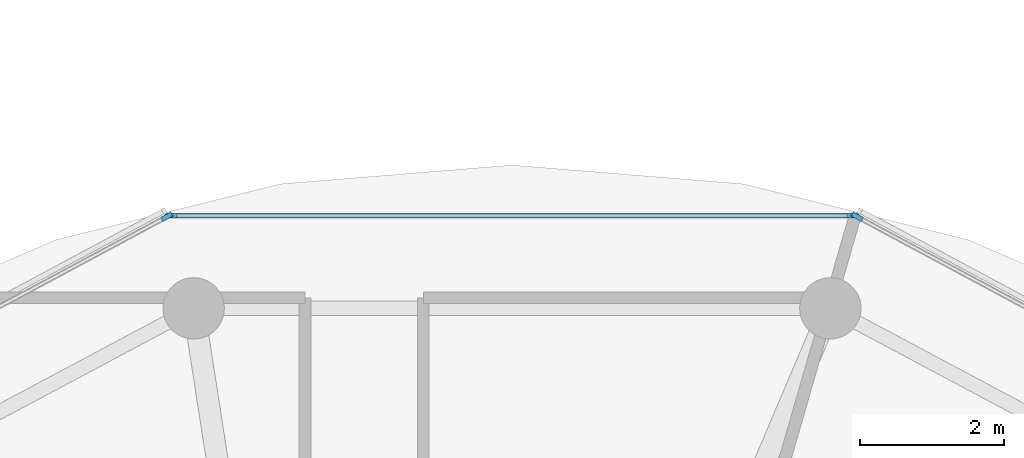
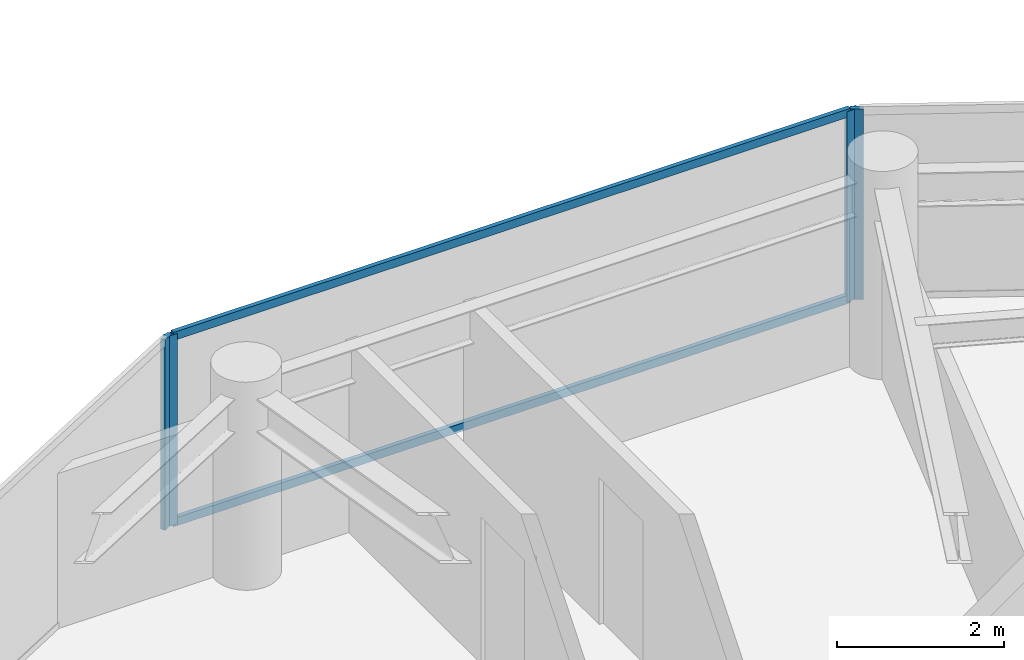
# One storey, part 9 of 24: 6 members, 3 elements without a shape of their own.
"""IFC4 building model written with IfcOpenShell, lengths in metres."""

import ifcopenshell
import ifcopenshell.guid

model = None  # the IFC model being written
_history = None  # IfcOwnerHistory: only IFC2X3 demands one
_inside = {}  # id of a spatial element -> (the spatial element, [elements in it])
_under = {}  # id of a project, library or spatial element -> (it, [spatial elements below it])
_declared = {}  # id of a project -> (the project, [libraries it declares])
_typed = {}  # id of a type object -> (the type object, [elements of that type])
_made_of = {}  # id of a material, layer set ... -> (it, [elements and type objects made of it])


def new_model(schema):
    """Start an empty IFC model of exactly this schema.

    Asked for "IFC4X3", IfcOpenShell would pick the latest addendum, in which some entities
    have other attributes; the version numbers below select the first issue.
    IFC2X3 requires an IfcOwnerHistory on every rooted entity: one is made here for all.
    """
    global model, _history
    if schema == "IFC4X3":
        model = ifcopenshell.file(schema_version=(4, 3, 0, 0))
    else:
        model = ifcopenshell.file(schema=schema)
    _inside.clear()
    _under.clear()
    _declared.clear()
    _typed.clear()
    _made_of.clear()
    _history = None
    if model.schema == "IFC2X3":
        org = make("IfcOrganization", Name="unknown")
        user = make(
            "IfcPersonAndOrganization",
            ThePerson=make("IfcPerson", FamilyName="unknown"),
            TheOrganization=org,
        )
        app = make(
            "IfcApplication",
            ApplicationDeveloper=org,
            Version="unknown",
            ApplicationFullName="unknown",
            ApplicationIdentifier="unknown",
        )
        _history = make(
            "IfcOwnerHistory",
            OwningUser=user,
            OwningApplication=app,
            ChangeAction="ADDED",
            CreationDate=0,
        )
    return model


def make(cls, **values):
    """One entity of the class cls with the attributes given. An attribute that is None is left unset."""
    return model.create_entity(
        cls, **{name: value for name, value in values.items() if value is not None}
    )


def rooted(cls, **values):
    """An entity with a GlobalId (a new one), such as an element, a storey or a relation."""
    return make(cls, GlobalId=ifcopenshell.guid.new(), OwnerHistory=_history, **values)


def si_unit(unit_type, name, prefix=None):
    """IfcSIUnit, for example si_unit("LENGTHUNIT", "METRE", prefix="MILLI")."""
    return make("IfcSIUnit", UnitType=unit_type, Prefix=prefix, Name=name)


def assignment(units):
    """IfcUnitAssignment: the units of a project."""
    return None if units is None else make("IfcUnitAssignment", Units=units)


def point(xyz):
    """IfcCartesianPoint."""
    return None if xyz is None else make("IfcCartesianPoint", Coordinates=xyz)


def direction(xyz):
    """IfcDirection."""
    return None if xyz is None else make("IfcDirection", DirectionRatios=xyz)


def frame(location, z_axis=None, x_axis=None):
    """IfcAxis2Placement3D, a coordinate frame: its origin and axes. An axis left out is left unset."""
    return make(
        "IfcAxis2Placement3D",
        Location=point(location),
        Axis=direction(z_axis),
        RefDirection=direction(x_axis),
    )


def frame_2d(location, x_axis=None):
    """IfcAxis2Placement2D, a coordinate frame in the plane: its origin and x axis."""
    return make(
        "IfcAxis2Placement2D", Location=point(location), RefDirection=direction(x_axis)
    )


def origin():
    """The frame at (0, 0, 0) with its axes left unset."""
    return frame((0.0, 0.0, 0.0))


def origin_2d():
    """The frame at (0, 0) in the plane with its x axis left unset."""
    return frame_2d((0.0, 0.0))


def place(relative_to, where):
    """IfcLocalPlacement: puts the frame where relative to a parent placement (None: the world)."""
    return make(
        "IfcLocalPlacement", PlacementRelTo=relative_to, RelativePlacement=where
    )


def context(
    kind, dimensions, precision=None, world=None, true_north=None, identifier=None
):
    """IfcGeometricRepresentationContext, for example the 3D "Model" context."""
    return make(
        "IfcGeometricRepresentationContext",
        ContextIdentifier=identifier,
        ContextType=kind,
        CoordinateSpaceDimension=dimensions,
        Precision=precision,
        WorldCoordinateSystem=world,
        TrueNorth=true_north,
    )


def subcontext(parent, identifier, kind, view, scale=None):
    """IfcGeometricRepresentationSubContext, for example "Body" below "Model"."""
    return make(
        "IfcGeometricRepresentationSubContext",
        ContextIdentifier=identifier,
        ContextType=kind,
        ParentContext=parent,
        TargetScale=scale,
        TargetView=view,
    )


def project(units=None, contexts=None):
    """IfcProject with its units and contexts."""
    return rooted(
        "IfcProject",
        Name="project",
        RepresentationContexts=contexts,
        UnitsInContext=assignment(units),
    )


def spatial(cls, under=None, at=None, **own):
    """A site, building, storey or space (cls), placed at a placement, below another one or the project."""
    s = rooted(cls, ObjectPlacement=at, **own)
    if under is not None:
        _under.setdefault(under.id(), (under, []))[1].append(s)
    return s


def profile(cls, at=None, kind="AREA", **sizes):
    """A parametric profile (cls). Its sizes go by their IFC names, for example OverallWidth=200.0."""
    return make(cls, ProfileType=kind, Position=at, **sizes)


def rectangle(**sizes):
    """IfcRectangleProfileDef."""
    return profile("IfcRectangleProfileDef", **sizes)


def extrude(swept, where, along, depth):
    """IfcExtrudedAreaSolid: the profile swept, set in the frame where, extruded along a direction by depth."""
    return make(
        "IfcExtrudedAreaSolid",
        SweptArea=swept,
        Position=where,
        ExtrudedDirection=direction(along),
        Depth=depth,
    )


def shape(context_of_items, identifier, shape_type, items):
    """IfcShapeRepresentation: the items that make up one representation, for example the "Body"."""
    return make(
        "IfcShapeRepresentation",
        ContextOfItems=context_of_items,
        RepresentationIdentifier=identifier,
        RepresentationType=shape_type,
        Items=items,
    )


def source(mapping_origin, context_of_items, identifier, shape_type, items):
    """IfcRepresentationMap: a shape defined once, which mapped items show again and again."""
    return make(
        "IfcRepresentationMap",
        MappingOrigin=mapping_origin,
        MappedRepresentation=shape(context_of_items, identifier, shape_type, items),
    )


def transform(
    local_origin,
    x_axis=None,
    y_axis=None,
    z_axis=None,
    scale=None,
    scale2=None,
    scale3=None,
    uniform=True,
):
    """IfcCartesianTransformationOperator3D, or its non-uniform kind. x_axis, y_axis, z_axis: its Axis1, 2, 3."""
    if uniform:
        return make(
            "IfcCartesianTransformationOperator3D",
            Axis1=direction(x_axis),
            Axis2=direction(y_axis),
            LocalOrigin=point(local_origin),
            Scale=scale,
            Axis3=direction(z_axis),
        )
    return make(
        "IfcCartesianTransformationOperator3DnonUniform",
        Axis1=direction(x_axis),
        Axis2=direction(y_axis),
        LocalOrigin=point(local_origin),
        Scale=scale,
        Axis3=direction(z_axis),
        Scale2=scale2,
        Scale3=scale3,
    )


def mapped(mapping_source, mapping_target):
    """IfcMappedItem: shows the shape of a source again, moved by a transform."""
    return make(
        "IfcMappedItem", MappingSource=mapping_source, MappingTarget=mapping_target
    )


def material(Name=None, Category=None):
    """IfcMaterial."""
    return make("IfcMaterial", Name=Name, Category=Category)


def layer(
    of_material, thickness, ventilated=None, Name=None, Category=None, Priority=None
):
    """IfcMaterialLayer: one layer of a wall or slab, of a material (None: an air gap)."""
    return make(
        "IfcMaterialLayer",
        Material=of_material,
        LayerThickness=thickness,
        IsVentilated=ventilated,
        Name=Name,
        Category=Category,
        Priority=Priority,
    )


def layer_set(layers, Name=None):
    """IfcMaterialLayerSet."""
    return make("IfcMaterialLayerSet", MaterialLayers=layers, LayerSetName=Name)


def material_profile(
    of_material, cross_section, Name=None, Category=None, Priority=None
):
    """IfcMaterialProfile: a cross section and its material."""
    return make(
        "IfcMaterialProfile",
        Name=Name,
        Material=of_material,
        Profile=cross_section,
        Priority=Priority,
        Category=Category,
    )


def profile_set(profiles, Name=None, composite=None):
    """IfcMaterialProfileSet."""
    return make(
        "IfcMaterialProfileSet",
        Name=Name,
        MaterialProfiles=profiles,
        CompositeProfile=composite,
    )


def made_of(thing, what):
    """Note that an element or type object is made of a material, layer set ...; save() writes the relation."""
    if what is not None:
        _made_of.setdefault(what.id(), (what, []))[1].append(thing)
    return thing


def type_object(cls, material=None, **own):
    """A type object (cls), such as IfcWallType, which elements share."""
    return made_of(rooted(cls, **own), material)


def type_shapes(of_type, sources):
    """Give a type object the sources (RepresentationMaps) that its elements show as mapped items."""
    of_type.RepresentationMaps = sources


def element(
    cls,
    number,
    at=None,
    inside=None,
    cuts=None,
    type_object=None,
    material=None,
    context=None,
    identifier="Body",
    shape_type=None,
    held_by="IfcProductDefinitionShape",
    body=None,
    shapes=None,
    **own,
):
    """One element of the class cls, such as IfcWall. Its Tag is "e" and its number.

    at: its placement. inside: the storey or other place that contains it. cuts: it is an
    opening in that element (IfcRelVoidsElement). A single representation is given by context,
    identifier, shape_type and body (its items); several are given by shapes. held_by: the class
    of the entity that holds the representations. save() writes the other relations.
    """
    e = rooted(cls, Tag="e%d" % number, ObjectPlacement=at, **own)
    if body is not None:
        shapes = [shape(context, identifier, shape_type, body)]
    if shapes is not None:
        e.Representation = make(held_by, Representations=shapes)
    if inside is not None:
        _inside.setdefault(inside.id(), (inside, []))[1].append(e)
    if cuts is not None:
        rooted(
            "IfcRelVoidsElement", RelatingBuildingElement=cuts, RelatedOpeningElement=e
        )
    if type_object is not None:
        _typed.setdefault(type_object.id(), (type_object, []))[1].append(e)
    return made_of(e, material)


def aggregate(whole, parts):
    """IfcRelAggregates: a whole, such as a stair, and the parts it consists of."""
    return rooted("IfcRelAggregates", RelatingObject=whole, RelatedObjects=parts)


def save(model, path):
    """Write the relations noted so far, then the file.

    IfcRelAggregates (storeys below a building ...), IfcRelContainedInSpatialStructure (elements
    in a storey), IfcRelDefinesByType, IfcRelAssociatesMaterial and IfcRelDeclares: one each for
    every whole, place, type object, material and project.
    """
    for whole, parts in _under.values():
        aggregate(whole, parts)
    for where, things in _inside.values():
        rooted(
            "IfcRelContainedInSpatialStructure",
            RelatedElements=things,
            RelatingStructure=where,
        )
    for kind, things in _typed.values():
        rooted("IfcRelDefinesByType", RelatedObjects=things, RelatingType=kind)
    for what, things in _made_of.values():
        rooted("IfcRelAssociatesMaterial", RelatedObjects=things, RelatingMaterial=what)
    for by, libraries in _declared.values():
        rooted("IfcRelDeclares", RelatingContext=by, RelatedDefinitions=libraries)
    model.write(path)


model = new_model("IFC4")

# Units and contexts
model_context = context("Model", 3, precision=1e-05, world=origin(), true_north=direction((0.0, 1.0)))
body_context = subcontext(model_context, "Body", "Model", "MODEL_VIEW")
ifc_project = project(units=[si_unit("LENGTHUNIT", "METRE"), si_unit("AREAUNIT", "SQUARE_METRE"), si_unit("VOLUMEUNIT", "CUBIC_METRE"), si_unit("PLANEANGLEUNIT", "RADIAN"), si_unit("MASSUNIT", "GRAM", prefix="KILO")], contexts=[model_context])

# Site, building, storey
site_placement = place(None, origin())
site = spatial("IfcSite", under=ifc_project, at=site_placement, CompositionType="ELEMENT")
building_placement = place(site_placement, origin())
building = spatial("IfcBuilding", under=site, at=building_placement, Name="Norrkilde Senior Care Towers", CompositionType="ELEMENT")
storey_placement = place(building_placement, frame((0.0, 0.0, 102.35009765625)))
storey = spatial("IfcBuildingStorey", under=building, at=storey_placement, Name="L31", CompositionType="ELEMENT", Elevation=102.35009765625)

# Curtain wall, member
ifc_material_1 = material(Name="Triple Low-E Insulated Glazing", Category="glass")
ifc_layer = layer(ifc_material_1, 0.195068359375)
ifc_layer_set = layer_set([ifc_layer], Name="Triple Low-E Insulated Glazing")
curtain_wall_type = type_object("IfcCurtainWallType", Name="CW3 Zone 2 Assisted Living Curtain Wall", PredefinedType="NOTDEFINED", material=ifc_layer_set)
curtain_wall_1_placement = place(storey_placement, origin())
curtain_wall_1 = element("IfcCurtainWall", 1, at=curtain_wall_1_placement, inside=storey, type_object=curtain_wall_type, Name="L31 Drum W Curtain Wall 01", PredefinedType="NOTDEFINED")
ifc_material_2 = material(Name="Anodised Aluminium", Category="aluminium")
ifc_material_profile_1 = material_profile(ifc_material_2, rectangle(XDim=0.06494140625, YDim=0.159912109375, at=origin_2d()), Name="ALU MULL 65x160")
ifc_profile_set_1 = profile_set([ifc_material_profile_1], Name="Anodised Aluminium")
member_type_1 = type_object("IfcMemberType", Name="Curtain Wall Mullion Z1-Z2 65x160", PredefinedType="MULLION", material=ifc_profile_set_1)
shared_shape_1 = source(origin(), body_context, "Body", "SweptSolid", [
    extrude(rectangle(XDim=0.06494140625, YDim=0.159912109375, at=origin_2d()), origin(), (0.0, 0.0, 1.0), 2.789794921875),
])
type_shapes(member_type_1, [shared_shape_1])
member_1_placement = place(storey_placement, frame((-21.164306640625, 16.482666015625, 0.0), z_axis=(0.0, 0.0, 1.0), x_axis=(0.472769402511, 0.881186184668, 0.0)))
member_1 = element("IfcMember", 2, at=member_1_placement, type_object=member_type_1, Name="CW-3 mullion 1", PredefinedType="MULLION", context=body_context, shape_type="MappedRepresentation", body=[
    mapped(shared_shape_1, transform((0.0, 0.0, 0.0), x_axis=(1.0, 0.0, 0.0), y_axis=(0.0, 1.0, 0.0), z_axis=(0.0, 0.0, 1.0), scale=1.0)),
])
aggregate(curtain_wall_1, [member_1])

# Curtain wall, members
curtain_wall_2_placement = place(storey_placement, origin())
curtain_wall_2 = element("IfcCurtainWall", 3, at=curtain_wall_2_placement, inside=storey, type_object=curtain_wall_type, Name="L31 Drum W Curtain Wall 02", PredefinedType="NOTDEFINED")
member_2_placement = place(storey_placement, frame((-30.674560546875, 16.498046875, 0.0), z_axis=(0.0, 0.0, 1.0), x_axis=(0.0, 1.0, 0.0)))
member_2 = element("IfcMember", 4, at=member_2_placement, type_object=member_type_1, Name="CW-3 mullion 1", PredefinedType="MULLION", context=body_context, shape_type="MappedRepresentation", body=[
    mapped(shared_shape_1, transform((0.0, 0.0, 0.0), x_axis=(1.0, 0.0, 0.0), y_axis=(0.0, 1.0, 0.0), z_axis=(0.0, 0.0, 1.0), scale=1.0)),
])
member_3_placement = place(storey_placement, frame((-21.225341796875, 16.498046875, 0.0), z_axis=(0.0, 0.0, 1.0), x_axis=(0.0, 1.0, 0.0)))
member_3 = element("IfcMember", 5, at=member_3_placement, type_object=member_type_1, Name="CW-3 mullion 2", PredefinedType="MULLION", context=body_context, shape_type="MappedRepresentation", body=[
    mapped(shared_shape_1, transform((0.0, 0.0, 0.0), x_axis=(1.0, 0.0, 0.0), y_axis=(0.0, 1.0, 0.0), z_axis=(0.0, 0.0, 1.0), scale=1.0)),
])

# Curtain wall, member
curtain_wall_3_placement = place(storey_placement, origin())
curtain_wall_3 = element("IfcCurtainWall", 6, at=curtain_wall_3_placement, inside=storey, type_object=curtain_wall_type, Name="L31 Drum W Curtain Wall 03", PredefinedType="NOTDEFINED")
member_4_placement = place(storey_placement, frame((-30.73583984375, 16.482666015625, 0.0), z_axis=(0.0, 0.0, 1.0), x_axis=(-0.472769402511, 0.881186184668, 0.0)))
member_4 = element("IfcMember", 7, at=member_4_placement, type_object=member_type_1, Name="CW-3 mullion 2", PredefinedType="MULLION", context=body_context, shape_type="MappedRepresentation", body=[
    mapped(shared_shape_1, transform((0.0, 0.0, 0.0), x_axis=(1.0, 0.0, 0.0), y_axis=(0.0, 1.0, 0.0), z_axis=(0.0, 0.0, 1.0), scale=1.0)),
])
aggregate(curtain_wall_3, [member_4])

# Member
ifc_material_profile_2 = material_profile(ifc_material_2, rectangle(XDim=0.06005859375, YDim=0.1201171875, at=origin_2d()), Name="ALU TRAN 60x120")
ifc_profile_set_2 = profile_set([ifc_material_profile_2], Name="Anodised Aluminium")
member_type_2 = type_object("IfcMemberType", Name="Curtain Wall Transom Typical 60x120", PredefinedType="USERDEFINED", material=ifc_profile_set_2)
shared_shape_2 = source(origin(), body_context, "Body", "SweptSolid", [
    extrude(rectangle(XDim=0.06005859375, YDim=0.1201171875, at=origin_2d()), origin(), (0.0, 0.0, 1.0), 9.38427734375),
])
type_shapes(member_type_2, [shared_shape_2])
member_5_placement = place(storey_placement, frame((-30.64208984375, 16.498046875, 0.02978515625), z_axis=(1.0, 0.0, 0.0), x_axis=(0.0, 1.0, 0.0)))
member_5 = element("IfcMember", 8, at=member_5_placement, type_object=member_type_2, Name="CW-3 transom 1.1", ObjectType="TRANSOM", PredefinedType="USERDEFINED", context=body_context, shape_type="MappedRepresentation", body=[
    mapped(shared_shape_2, transform((0.0, 0.0, 0.0), x_axis=(1.0, 0.0, 0.0), y_axis=(0.0, 1.0, 0.0), z_axis=(0.0, 0.0, 1.0), scale=1.0)),
])

member_6_placement = place(storey_placement, frame((-30.64208984375, 16.498046875, 2.760009765625), z_axis=(1.0, 0.0, 0.0), x_axis=(0.0, 1.0, 0.0)))
member_6 = element("IfcMember", 9, at=member_6_placement, type_object=member_type_2, Name="CW-3 transom 1.2", ObjectType="TRANSOM", PredefinedType="USERDEFINED", context=body_context, shape_type="MappedRepresentation", body=[
    mapped(shared_shape_2, transform((0.0, 0.0, 0.0), x_axis=(1.0, 0.0, 0.0), y_axis=(0.0, 1.0, 0.0), z_axis=(0.0, 0.0, 1.0), scale=1.0)),
])

aggregate(curtain_wall_2, [member_2, member_3, member_5, member_6])

save(model, "model.ifc")
